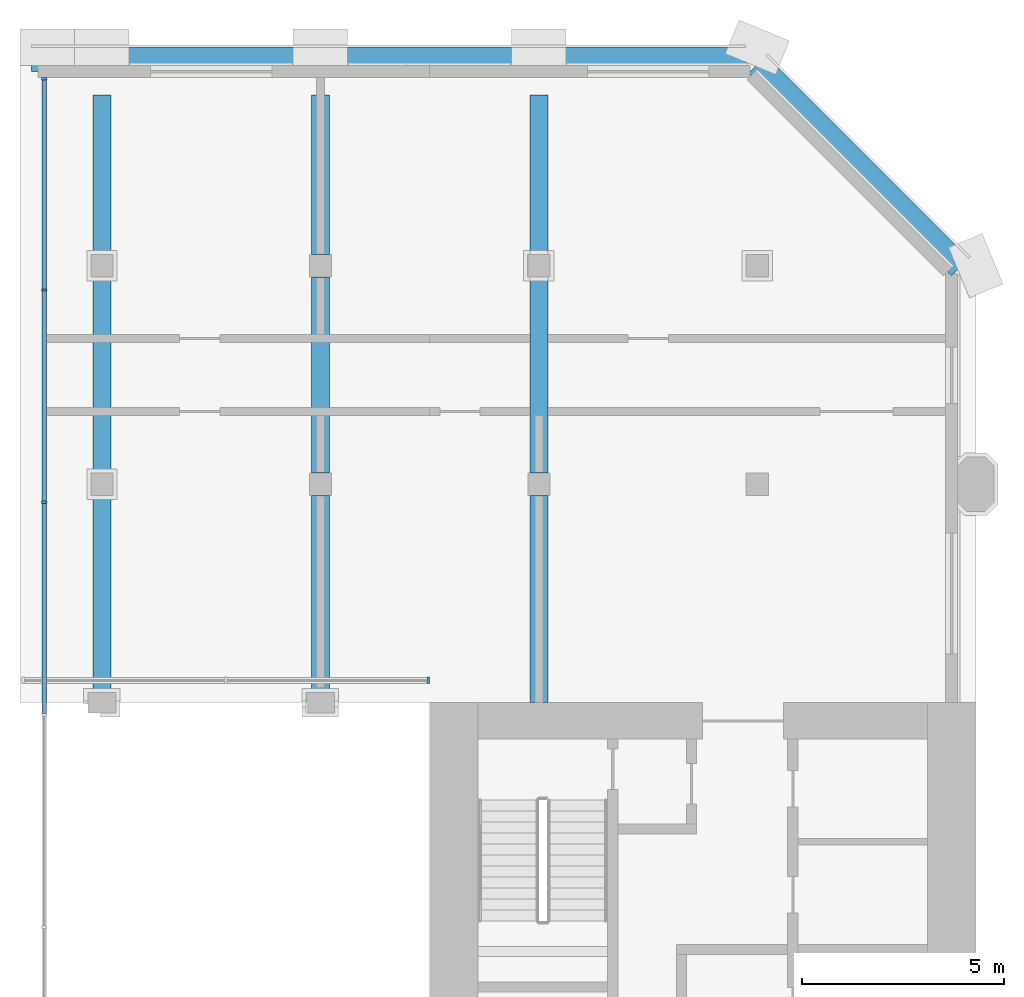
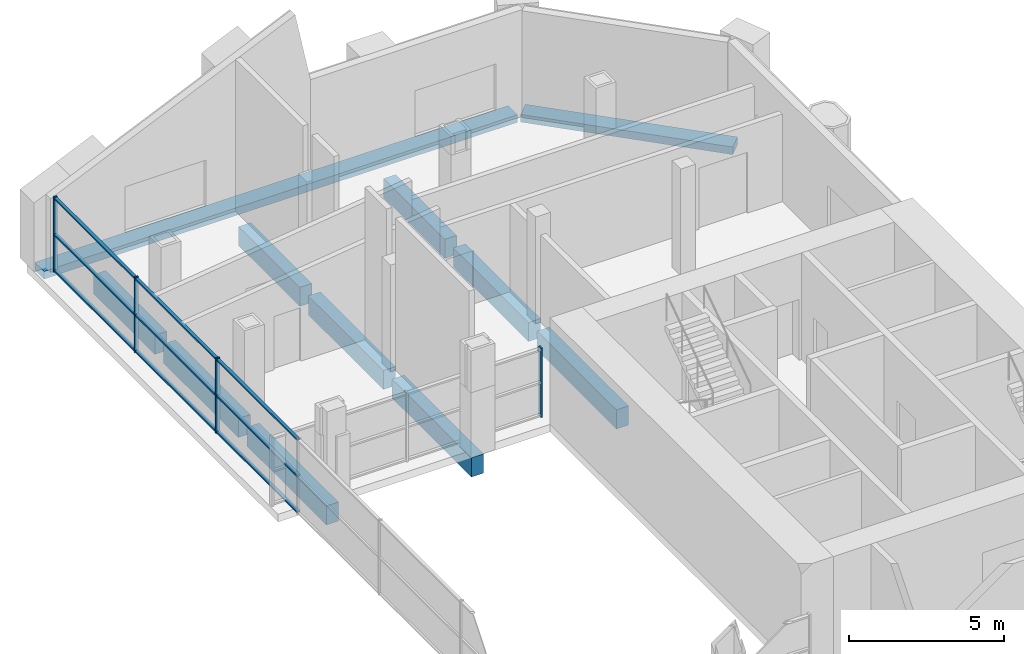
# One storey, part 3 of 8: 13 members, 11 beams, 2 elements without a shape of their own.
"""IFC4 building model written with IfcOpenShell, lengths in metres."""

from ifc_helpers import new_model, si_unit, direction, frame, origin, origin_2d, place, context, subcontext, project, spatial, rectangle, extrude, material, material_profile, profile_set, type_object, element, aggregate, save


model = new_model("IFC4")

# Units and contexts
model_context = context("Model", 3, precision=1e-05, world=origin(), true_north=direction((0.0, 1.0)))
body_context = subcontext(model_context, "Body", "Model", "MODEL_VIEW")
ifc_project = project(units=[si_unit("LENGTHUNIT", "METRE"), si_unit("AREAUNIT", "SQUARE_METRE"), si_unit("VOLUMEUNIT", "CUBIC_METRE"), si_unit("PLANEANGLEUNIT", "RADIAN"), si_unit("MASSUNIT", "GRAM", prefix="KILO")], contexts=[model_context])

# Site, building, storey
site_placement = place(None, origin())
site = spatial("IfcSite", under=ifc_project, at=site_placement, CompositionType="ELEMENT")
building_placement = place(site_placement, origin())
building = spatial("IfcBuilding", under=site, at=building_placement, Name="Tabaq Tower and Sports Hall", CompositionType="ELEMENT")
storey_placement = place(building_placement, frame((0.0, 0.0, 330.699951171875)))
storey = spatial("IfcBuildingStorey", under=building, at=storey_placement, Name="L82", CompositionType="ELEMENT", Elevation=330.699951171875)

# Curtain wall, member
ifc_material_1 = material(Name="Aluminium alloy 6063-T6 framed glazing", Category="aluminium")
curtain_wall_type_1 = type_object("IfcCurtainWallType", Name="CW1 curtain wall", PredefinedType="USERDEFINED", material=ifc_material_1)
curtain_wall_1_placement = place(storey_placement, origin())
curtain_wall_1 = element("IfcCurtainWall", 1, at=curtain_wall_1_placement, inside=storey, type_object=curtain_wall_type_1, Name="Atrium glazing L82 N", ObjectType="ATRIUM ENCLOSURE", PredefinedType="USERDEFINED")
ifc_material_2 = material(Name="Aluminium alloy 6063-T6", Category="aluminium")
ifc_material_profile_1 = material_profile(ifc_material_2, rectangle(XDim=0.159912109375, YDim=0.06005859375, at=origin_2d()), Name="MULLION 160x60")
ifc_profile_set_1 = profile_set([ifc_material_profile_1], Name="Aluminium alloy 6063-T6")
member_type_1 = type_object("IfcMemberType", Name="CW1 mullion 160x60", PredefinedType="MULLION", material=ifc_profile_set_1)
member_1_placement = place(storey_placement, frame((29.669921875, 32.949951171875, 0.0), z_axis=(0.0, 0.0, 1.0), x_axis=(0.0, 1.0, 0.0)))
member_1 = element("IfcMember", 2, at=member_1_placement, type_object=member_type_1, Name="CW1 mullion 3", PredefinedType="MULLION", context=body_context, shape_type="SweptSolid", body=[
    extrude(rectangle(XDim=0.159912109375, YDim=0.06005859375, at=origin_2d()), origin(), (0.0, 0.0, 1.0), 2.72216796875),
])
aggregate(curtain_wall_1, [member_1])

# Curtain wall, members
ifc_material_3 = material(Name="Aluminium alloy 6063-T6 framed glazing", Category="aluminium")
curtain_wall_type_2 = type_object("IfcCurtainWallType", Name="CW5 curtain wall", PredefinedType="USERDEFINED", material=ifc_material_3)
curtain_wall_2_placement = place(storey_placement, origin())
curtain_wall_2 = element("IfcCurtainWall", 3, at=curtain_wall_2_placement, inside=storey, type_object=curtain_wall_type_2, Name="Crown riser glazing L82", ObjectType="CROWN GLAZING", PredefinedType="USERDEFINED")
ifc_material_4 = material(Name="Aluminium alloy 6063-T6", Category="aluminium")
ifc_material_profile_2 = material_profile(ifc_material_4, rectangle(XDim=0.139892578125, YDim=0.06005859375, at=origin_2d()), Name="MULLION 140x60")
ifc_profile_set_2 = profile_set([ifc_material_profile_2], Name="Aluminium alloy 6063-T6")
member_type_2 = type_object("IfcMemberType", Name="CW5 mullion 140x60", PredefinedType="MULLION", material=ifc_profile_set_2)
member_2_placement = place(storey_placement, frame((20.175048828125, 47.820068359375, 0.0), z_axis=(0.0, 0.0, 1.0), x_axis=(1.0, 0.0, 0.0)))
member_2 = element("IfcMember", 4, at=member_2_placement, type_object=member_type_2, Name="CW5 mullion 1", PredefinedType="MULLION", context=body_context, shape_type="SweptSolid", body=[
    extrude(rectangle(XDim=0.139892578125, YDim=0.06005859375, at=origin_2d()), origin(), (0.0, 0.0, 1.0), 2.966796875),
])
member_3_placement = place(storey_placement, frame((20.175048828125, 42.60009765625, 0.0), z_axis=(0.0, 0.0, 1.0), x_axis=(1.0, 0.0, 0.0)))
member_3 = element("IfcMember", 5, at=member_3_placement, type_object=member_type_2, Name="CW5 mullion 2", PredefinedType="MULLION", context=body_context, shape_type="SweptSolid", body=[
    extrude(rectangle(XDim=0.139892578125, YDim=0.06005859375, at=origin_2d()), origin(), (0.0, 0.0, 1.0), 2.966796875),
])
member_4_placement = place(storey_placement, frame((20.175048828125, 37.35009765625, 0.0), z_axis=(0.0, 0.0, 1.0), x_axis=(1.0, 0.0, 0.0)))
member_4 = element("IfcMember", 6, at=member_4_placement, type_object=member_type_2, Name="CW5 mullion 3", PredefinedType="MULLION", context=body_context, shape_type="SweptSolid", body=[
    extrude(rectangle(XDim=0.139892578125, YDim=0.06005859375, at=origin_2d()), origin(), (0.0, 0.0, 1.0), 2.966796875),
])
ifc_material_5 = material(Name="Aluminium alloy 6063-T6", Category="aluminium")
ifc_material_profile_3 = material_profile(ifc_material_5, rectangle(XDim=0.1201171875, YDim=0.06005859375, at=origin_2d()), Name="TRANSOM 120x60")
ifc_profile_set_3 = profile_set([ifc_material_profile_3], Name="Aluminium alloy 6063-T6")
member_type_3 = type_object("IfcMemberType", Name="CW5 transom 120x60", PredefinedType="USERDEFINED", material=ifc_profile_set_3)
member_5_placement = place(storey_placement, frame((20.175048828125, 47.7900390625, 0.06005859375), z_axis=(0.0, -1.0, 0.0), x_axis=(1.0, 0.0, 0.0)))
member_5 = element("IfcMember", 7, at=member_5_placement, type_object=member_type_3, Name="CW5 transom 1.1", ObjectType="TRANSOM", PredefinedType="USERDEFINED", context=body_context, shape_type="SweptSolid", body=[
    extrude(rectangle(XDim=0.1201171875, YDim=0.06005859375, at=origin_2d()), origin(), (0.0, 0.0, 1.0), 5.16015625),
])
member_6_placement = place(storey_placement, frame((20.175048828125, 47.7900390625, 1.4833984375), z_axis=(0.0, -1.0, 0.0), x_axis=(1.0, 0.0, 0.0)))
member_6 = element("IfcMember", 8, at=member_6_placement, type_object=member_type_3, Name="CW5 transom 1.2", ObjectType="TRANSOM", PredefinedType="USERDEFINED", context=body_context, shape_type="SweptSolid", body=[
    extrude(rectangle(XDim=0.1201171875, YDim=0.06005859375, at=origin_2d()), origin(), (0.0, 0.0, 1.0), 5.16015625),
])
member_7_placement = place(storey_placement, frame((20.175048828125, 47.7900390625, 2.90673828125), z_axis=(0.0, -1.0, 0.0), x_axis=(1.0, 0.0, 0.0)))
member_7 = element("IfcMember", 9, at=member_7_placement, type_object=member_type_3, Name="CW5 transom 1.3", ObjectType="TRANSOM", PredefinedType="USERDEFINED", context=body_context, shape_type="SweptSolid", body=[
    extrude(rectangle(XDim=0.1201171875, YDim=0.06005859375, at=origin_2d()), origin(), (0.0, 0.0, 1.0), 5.16015625),
])
member_8_placement = place(storey_placement, frame((20.175048828125, 42.570068359375, 0.06005859375), z_axis=(0.0, -1.0, 0.0), x_axis=(1.0, 0.0, 0.0)))
member_8 = element("IfcMember", 10, at=member_8_placement, type_object=member_type_3, Name="CW5 transom 2.1", ObjectType="TRANSOM", PredefinedType="USERDEFINED", context=body_context, shape_type="SweptSolid", body=[
    extrude(rectangle(XDim=0.1201171875, YDim=0.06005859375, at=origin_2d()), origin(), (0.0, 0.0, 1.0), 5.190185546875),
])
member_9_placement = place(storey_placement, frame((20.175048828125, 42.570068359375, 1.4833984375), z_axis=(0.0, -1.0, 0.0), x_axis=(1.0, 0.0, 0.0)))
member_9 = element("IfcMember", 11, at=member_9_placement, type_object=member_type_3, Name="CW5 transom 2.2", ObjectType="TRANSOM", PredefinedType="USERDEFINED", context=body_context, shape_type="SweptSolid", body=[
    extrude(rectangle(XDim=0.1201171875, YDim=0.06005859375, at=origin_2d()), origin(), (0.0, 0.0, 1.0), 5.190185546875),
])
member_10_placement = place(storey_placement, frame((20.175048828125, 42.570068359375, 2.90673828125), z_axis=(0.0, -1.0, 0.0), x_axis=(1.0, 0.0, 0.0)))
member_10 = element("IfcMember", 12, at=member_10_placement, type_object=member_type_3, Name="CW5 transom 2.3", ObjectType="TRANSOM", PredefinedType="USERDEFINED", context=body_context, shape_type="SweptSolid", body=[
    extrude(rectangle(XDim=0.1201171875, YDim=0.06005859375, at=origin_2d()), origin(), (0.0, 0.0, 1.0), 5.190185546875),
])
member_11_placement = place(storey_placement, frame((20.175048828125, 37.320068359375, 0.06005859375), z_axis=(0.0, -1.0, 0.0), x_axis=(1.0, 0.0, 0.0)))
member_11 = element("IfcMember", 13, at=member_11_placement, type_object=member_type_3, Name="CW5 transom 3.1", ObjectType="TRANSOM", PredefinedType="USERDEFINED", context=body_context, shape_type="SweptSolid", body=[
    extrude(rectangle(XDim=0.1201171875, YDim=0.06005859375, at=origin_2d()), origin(), (0.0, 0.0, 1.0), 5.190185546875),
])
member_12_placement = place(storey_placement, frame((20.175048828125, 37.320068359375, 1.4833984375), z_axis=(0.0, -1.0, 0.0), x_axis=(1.0, 0.0, 0.0)))
member_12 = element("IfcMember", 14, at=member_12_placement, type_object=member_type_3, Name="CW5 transom 3.2", ObjectType="TRANSOM", PredefinedType="USERDEFINED", context=body_context, shape_type="SweptSolid", body=[
    extrude(rectangle(XDim=0.1201171875, YDim=0.06005859375, at=origin_2d()), origin(), (0.0, 0.0, 1.0), 5.190185546875),
])
member_13_placement = place(storey_placement, frame((20.175048828125, 37.320068359375, 2.90673828125), z_axis=(0.0, -1.0, 0.0), x_axis=(1.0, 0.0, 0.0)))
member_13 = element("IfcMember", 15, at=member_13_placement, type_object=member_type_3, Name="CW5 transom 3.3", ObjectType="TRANSOM", PredefinedType="USERDEFINED", context=body_context, shape_type="SweptSolid", body=[
    extrude(rectangle(XDim=0.1201171875, YDim=0.06005859375, at=origin_2d()), origin(), (0.0, 0.0, 1.0), 5.190185546875),
])
aggregate(curtain_wall_2, [member_2, member_3, member_4, member_5, member_6, member_7, member_8, member_9, member_10, member_11, member_12, member_13])

# Beams
ifc_material_6 = material(Name="Concrete C40/50", Category="concrete")
ifc_material_profile_4 = material_profile(ifc_material_6, rectangle(XDim=0.449951171875, YDim=0.75, at=origin_2d()), Name="CB 450x750")
ifc_profile_set_4 = profile_set([ifc_material_profile_4], Name="Concrete C40/50")
beam_type_1 = type_object("IfcBeamType", Name="PT CANTILEVER BEAM CB 450x750 C40/50", PredefinedType="BEAM", material=ifc_profile_set_4)
beam_1_placement = place(storey_placement, frame((21.60009765625, 47.425048828125, -0.675048828125), z_axis=(0.0, -1.0, 0.0), x_axis=(1.0, 0.0, 0.0)))
element("IfcBeam", 16, at=beam_1_placement, inside=storey, type_object=beam_type_1, Name="Cantilever Beam L82 N4 span 1", PredefinedType="BEAM", context=body_context, shape_type="SweptSolid", body=[
    extrude(rectangle(XDim=0.449951171875, YDim=0.75, at=origin_2d()), origin(), (0.0, 0.0, 1.0), 3.949951171875),
])
beam_2_placement = place(storey_placement, frame((21.60009765625, 42.925048828125, -0.675048828125), z_axis=(0.0, -1.0, 0.0), x_axis=(1.0, 0.0, 0.0)))
element("IfcBeam", 17, at=beam_2_placement, inside=storey, type_object=beam_type_1, Name="Cantilever Beam L82 N4 span 2", PredefinedType="BEAM", context=body_context, shape_type="SweptSolid", body=[
    extrude(rectangle(XDim=0.449951171875, YDim=0.75, at=origin_2d()), origin(), (0.0, 0.0, 1.0), 4.85009765625),
])
beam_3_placement = place(storey_placement, frame((21.60009765625, 37.52490234375, -0.675048828125), z_axis=(0.0, -1.0, 0.0), x_axis=(1.0, 0.0, 0.0)))
element("IfcBeam", 18, at=beam_3_placement, inside=storey, type_object=beam_type_1, Name="Cantilever Beam L82 N4 span 3", PredefinedType="BEAM", context=body_context, shape_type="SweptSolid", body=[
    extrude(rectangle(XDim=0.449951171875, YDim=0.75, at=origin_2d()), origin(), (0.0, 0.0, 1.0), 5.125),
])
beam_4_placement = place(storey_placement, frame((27.0, 47.425048828125, -0.675048828125), z_axis=(0.0, -1.0, 0.0), x_axis=(1.0, 0.0, 0.0)))
element("IfcBeam", 19, at=beam_4_placement, inside=storey, type_object=beam_type_1, Name="Cantilever Beam L82 N5 span 1", PredefinedType="BEAM", context=body_context, shape_type="SweptSolid", body=[
    extrude(rectangle(XDim=0.449951171875, YDim=0.75, at=origin_2d()), origin(), (0.0, 0.0, 1.0), 3.949951171875),
])
beam_5_placement = place(storey_placement, frame((27.0, 42.925048828125, -0.675048828125), z_axis=(0.0, -1.0, 0.0), x_axis=(1.0, 0.0, 0.0)))
element("IfcBeam", 20, at=beam_5_placement, inside=storey, type_object=beam_type_1, Name="Cantilever Beam L82 N5 span 2", PredefinedType="BEAM", context=body_context, shape_type="SweptSolid", body=[
    extrude(rectangle(XDim=0.449951171875, YDim=0.75, at=origin_2d()), origin(), (0.0, 0.0, 1.0), 4.85009765625),
])
beam_6_placement = place(storey_placement, frame((27.0, 37.52490234375, -0.675048828125), z_axis=(0.0, -1.0, 0.0), x_axis=(1.0, 0.0, 0.0)))
element("IfcBeam", 21, at=beam_6_placement, inside=storey, type_object=beam_type_1, Name="Cantilever Beam L82 N5 span 3", PredefinedType="BEAM", context=body_context, shape_type="SweptSolid", body=[
    extrude(rectangle(XDim=0.449951171875, YDim=0.75, at=origin_2d()), origin(), (0.0, 0.0, 1.0), 5.125),
])
beam_7_placement = place(storey_placement, frame((32.39990234375, 47.425048828125, -0.675048828125), z_axis=(0.0, -1.0, 0.0), x_axis=(1.0, 0.0, 0.0)))
element("IfcBeam", 22, at=beam_7_placement, inside=storey, type_object=beam_type_1, Name="Cantilever Beam L82 N6 span 1", PredefinedType="BEAM", context=body_context, shape_type="SweptSolid", body=[
    extrude(rectangle(XDim=0.449951171875, YDim=0.75, at=origin_2d()), origin(), (0.0, 0.0, 1.0), 3.949951171875),
])
beam_8_placement = place(storey_placement, frame((32.39990234375, 42.925048828125, -0.675048828125), z_axis=(0.0, -1.0, 0.0), x_axis=(1.0, 0.0, 0.0)))
element("IfcBeam", 23, at=beam_8_placement, inside=storey, type_object=beam_type_1, Name="Cantilever Beam L82 N6 span 2", PredefinedType="BEAM", context=body_context, shape_type="SweptSolid", body=[
    extrude(rectangle(XDim=0.449951171875, YDim=0.75, at=origin_2d()), origin(), (0.0, 0.0, 1.0), 4.85009765625),
])
beam_9_placement = place(storey_placement, frame((32.39990234375, 37.52490234375, -0.675048828125), z_axis=(0.0, -1.0, 0.0), x_axis=(1.0, 0.0, 0.0)))
element("IfcBeam", 24, at=beam_9_placement, inside=storey, type_object=beam_type_1, Name="Cantilever Beam L82 N6 span 3", PredefinedType="BEAM", context=body_context, shape_type="SweptSolid", body=[
    extrude(rectangle(XDim=0.449951171875, YDim=0.75, at=origin_2d()), origin(), (0.0, 0.0, 1.0), 5.125),
])
ifc_material_7 = material(Name="Concrete C40/50", Category="concrete")
ifc_material_profile_5 = material_profile(ifc_material_7, rectangle(XDim=0.60009765625, YDim=0.300048828125, at=origin_2d()), Name="EB 600x300")
ifc_profile_set_5 = profile_set([ifc_material_profile_5], Name="Concrete C40/50")
beam_type_2 = type_object("IfcBeamType", Name="PT EDGE BEAM EB 600x300 C40/50", PredefinedType="SPANDREL", material=ifc_profile_set_5)
beam_10_placement = place(storey_placement, frame((37.50146484375, 48.300048828125, -0.14990234375), z_axis=(-1.0, 0.0, 0.0), x_axis=(0.0, -1.0, 0.0)))
element("IfcBeam", 25, at=beam_10_placement, inside=storey, type_object=beam_type_2, Name="Edge Beam L82 1", PredefinedType="SPANDREL", context=body_context, shape_type="SweptSolid", body=[
    extrude(rectangle(XDim=0.60009765625, YDim=0.300048828125, at=origin_2d()), origin(), (0.0, 0.0, 1.0), 17.636474609375),
])
beam_11_placement = place(storey_placement, frame((42.81103515625, 43.16455078125, -0.14990234375), z_axis=(-0.707089559252, 0.707124002701, 0.0), x_axis=(-0.707124002701, -0.707089559252, 0.0)))
element("IfcBeam", 26, at=beam_11_placement, inside=storey, type_object=beam_type_2, Name="Edge Beam L82 2", PredefinedType="SPANDREL", context=body_context, shape_type="SweptSolid", body=[
    extrude(rectangle(XDim=0.60009765625, YDim=0.300048828125, at=origin_2d()), origin(), (0.0, 0.0, 1.0), 7.088134765625),
])

save(model, "model.ifc")
